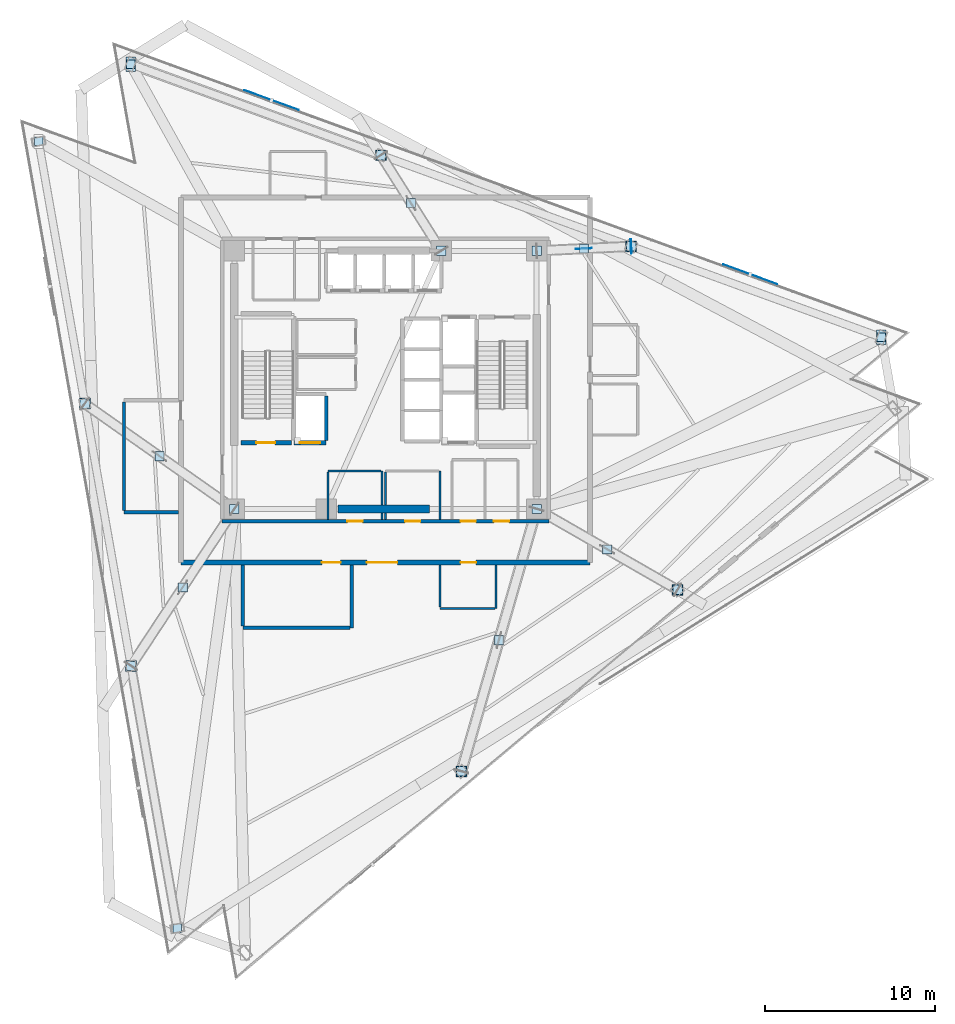
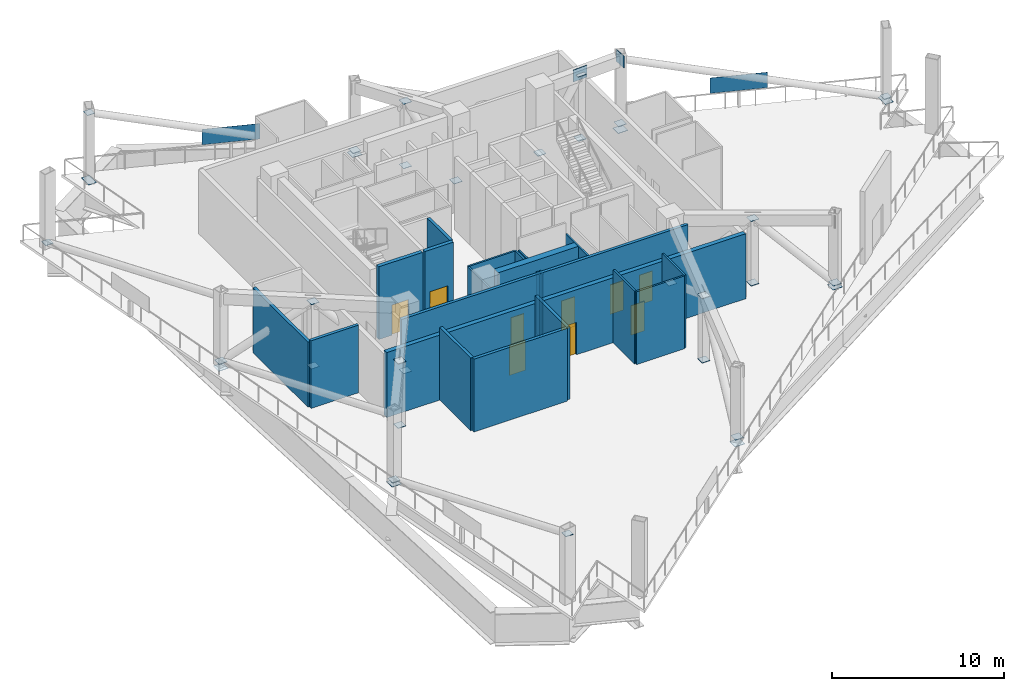
# One storey, part 6 of 15: 38 plates, 21 walls, 9 doors, 9 openings.
"""IFC4 building model written with IfcOpenShell, lengths in metres."""

from ifc_helpers import new_model, si_unit, direction, frame, frame_2d, origin, origin_2d, place, context, subcontext, project, spatial, rectangle, extrude, material, layer, layer_set, type_object, element, fill, save


model = new_model("IFC4")

# Units and contexts
model_context = context("Model", 3, precision=1e-05, world=origin(), true_north=direction((0.0, 1.0)))
body_context = subcontext(model_context, "Body", "Model", "MODEL_VIEW")
ifc_project = project(units=[si_unit("LENGTHUNIT", "METRE"), si_unit("AREAUNIT", "SQUARE_METRE"), si_unit("VOLUMEUNIT", "CUBIC_METRE"), si_unit("PLANEANGLEUNIT", "RADIAN"), si_unit("MASSUNIT", "GRAM", prefix="KILO")], contexts=[model_context])

# Site, building, storey
site_placement = place(None, origin())
site = spatial("IfcSite", under=ifc_project, at=site_placement, CompositionType="ELEMENT")
building_placement = place(site_placement, origin())
building = spatial("IfcBuilding", under=site, at=building_placement, Name="Tharavind Bronze Gate", CompositionType="ELEMENT")
storey_placement = place(building_placement, frame((0.0, 0.0, 165.14990234375)))
storey = spatial("IfcBuildingStorey", under=building, at=storey_placement, Name="L42", CompositionType="ELEMENT", Elevation=165.14990234375)

# Plates
ifc_material_1 = material(Name="Perforated Bronze Alloy", Category="bronze")
ifc_layer_1 = layer(ifc_material_1, 0.011962890625)
ifc_layer_set_1 = layer_set([ifc_layer_1], Name="Perforated Bronze Alloy")
plate_type_1 = type_object("IfcPlateType", Name="BRONZE PERFORATED SOLAR SCREEN", PredefinedType="USERDEFINED", material=ifc_layer_set_1)
for number, where, z_axis, x_axis, name in (
    (1, (21.47607421875, 6.21923828125, 1.10009765625), (0.0, 0.0, 1.0), (-0.939692023847, 0.342021783398, 0.0), "L42 wind floor acoustic bronze baffle 3.1"),
    (2, (-6.707275390625, 16.477294921875, 1.10009765625), (0.0, 0.0, 1.0), (-0.939692023847, 0.342021783398, 0.0), "L42 wind floor acoustic bronze baffle 3.2"),
):
    element("IfcPlate", number, at=place(storey_placement, frame(where, z_axis=z_axis, x_axis=x_axis)), inside=storey, type_object=plate_type_1, Name=name, ObjectType="SCREEN", PredefinedType="USERDEFINED", context=body_context, shape_type="SweptSolid", body=[
        extrude(rectangle(XDim=3.39990234375, YDim=0.011962890625, at=origin_2d()), origin(), (0.0, 0.0, 1.0), 1.10009765625),
    ])
ifc_material_2 = material(Name="Steel S460", Category="steel")
ifc_layer_2 = layer(ifc_material_2, 0.02490234375)
ifc_layer_set_2 = layer_set([ifc_layer_2], Name="Steel S460")
plate_type_2 = type_object("IfcPlateType", Name="STEEL END CAP SHEET 25", PredefinedType="SHEET", material=ifc_layer_set_2)
for number, where, z_axis, x_axis, name in (
    (3, (-17.709716796875, -1.3994140625, -0.207275390625), (0.0, 0.0, 1.0), (1.0, 0.0, 0.0), "Steel end cap plate CAP-COLB-L42-S1C2"),
    (4, (-14.98681640625, -16.841796875, -0.012451171875), (0.0, 0.0, 1.0), (1.0, 0.0, 0.0), "Steel end cap plate CAP-COLB-L42-S1C3"),
    (5, (4.46337890625, -23.05078125, -0.207275390625), (0.0, 0.0, 1.0), (1.0, 0.0, 0.0), "Steel end cap plate CAP-COLB-L42-S2C2"),
    (6, (17.198486328125, -12.36474609375, -0.012451171875), (0.0, 0.0, 1.0), (1.0, 0.0, 0.0), "Steel end cap plate CAP-COLB-L42-S2C3"),
):
    element("IfcPlate", number, at=place(storey_placement, frame(where, z_axis=z_axis, x_axis=x_axis)), inside=storey, type_object=plate_type_2, Name=name, PredefinedType="SHEET", context=body_context, shape_type="SweptSolid", body=[
        extrude(rectangle(XDim=0.64501953125, YDim=0.64501953125, at=origin_2d()), origin(), (0.0, 0.0, 1.0), 0.02490234375),
    ])
plate_1_placement = place(storey_placement, frame((29.1962890625, 2.5048828125, -0.012451171875), z_axis=(0.0, 0.0, 1.0), x_axis=(1.0, 0.0, 0.0)))
element("IfcPlate", 7, at=plate_1_placement, inside=storey, type_object=plate_type_2, Name="Steel end cap plate CAP-COLB-L42-S3C1", PredefinedType="SHEET", context=body_context, shape_type="SweptSolid", body=[
    extrude(rectangle(XDim=0.544921875, YDim=0.844970703125, at=origin_2d()), origin(), (0.0, 0.0, 1.0), 0.02490234375),
])
for number, where, z_axis, x_axis, name in (
    (8, (14.461181640625, 7.867919921875, -0.207275390625), (0.0, 0.0, 1.0), (1.0, 0.0, 0.0), "Steel end cap plate CAP-COLB-L42-S3C2"),
    (9, (-0.27392578125, 13.231201171875, -0.012451171875), (0.0, 0.0, 1.0), (1.0, 0.0, 0.0), "Steel end cap plate CAP-COLB-L42-S3C3"),
):
    element("IfcPlate", number, at=place(storey_placement, frame(where, z_axis=z_axis, x_axis=x_axis)), inside=storey, type_object=plate_type_2, Name=name, PredefinedType="SHEET", context=body_context, shape_type="SweptSolid", body=[
        extrude(rectangle(XDim=0.64501953125, YDim=0.64501953125, at=origin_2d()), origin(), (0.0, 0.0, 1.0), 0.02490234375),
    ])
plate_2_placement = place(storey_placement, frame((-15.0087890625, 18.59423828125, -0.012451171875), z_axis=(0.0, 0.0, 1.0), x_axis=(1.0, 0.0, 0.0)))
element("IfcPlate", 10, at=plate_2_placement, inside=storey, type_object=plate_type_2, Name="Steel end cap plate CAP-COLB-L42-S3C4", PredefinedType="SHEET", context=body_context, shape_type="SweptSolid", body=[
    extrude(rectangle(XDim=0.544921875, YDim=0.844970703125, at=origin_2d()), origin(), (0.0, 0.0, 1.0), 0.02490234375),
])
for number, where, z_axis, x_axis, name in (
    (11, (-8.89990234375, -7.60009765625, 0.237548828125), (0.0, 0.0, 1.0), (1.0, 0.0, 0.0), "Steel end cap plate CAP-L42-OBR1-1A"),
    (12, (-17.709716796875, -1.3994140625, 0.237548828125), (0.0, 0.0, 1.0), (1.0, 0.0, 0.0), "Steel end cap plate CAP-L42-OBR1-2B"),
    (13, (-14.98681640625, -16.841796875, 0.237548828125), (0.0, 0.0, 1.0), (1.0, 0.0, 0.0), "Steel end cap plate CAP-L42-OBR2-2B"),
    (14, (8.89990234375, -7.60009765625, 0.237548828125), (0.0, 0.0, 1.0), (1.0, 0.0, 0.0), "Steel end cap plate CAP-L42-OBR3-1A"),
    (15, (4.46337890625, -23.05078125, 0.237548828125), (0.0, 0.0, 1.0), (1.0, 0.0, 0.0), "Steel end cap plate CAP-L42-OBR3-2B"),
    (16, (17.198486328125, -12.36474609375, 0.237548828125), (0.0, 0.0, 1.0), (1.0, 0.0, 0.0), "Steel end cap plate CAP-L42-OBR4-2B"),
):
    element("IfcPlate", number, at=place(storey_placement, frame(where, z_axis=z_axis, x_axis=x_axis)), inside=storey, type_object=plate_type_2, Name=name, PredefinedType="SHEET", context=body_context, shape_type="SweptSolid", body=[
        extrude(rectangle(XDim=0.552978515625, YDim=0.552978515625, at=origin_2d()), origin(), (0.0, 0.0, 1.0), 0.02490234375),
    ])
plate_3_placement = place(storey_placement, frame((14.461181640625, 7.867919921875, 4.3974609375), z_axis=(0.0, 0.0, 1.0), x_axis=(0.998841677738, 0.048117593598, 0.0)))
element("IfcPlate", 17, at=plate_3_placement, inside=storey, type_object=plate_type_2, Name="Steel end cap plate CAP-L42-OCH5B", PredefinedType="SHEET", context=body_context, shape_type="SweptSolid", body=[
    extrude(rectangle(XDim=0.0400390625, YDim=0.844970703125, at=origin_2d()), origin(), (0.0, 0.0, 1.0), 0.844970703125),
])
for number, where, z_axis, x_axis, name in (
    (18, (8.89990234375, 7.60009765625, 0.237548828125), (0.0, 0.0, 1.0), (1.0, 0.0, 0.0), "Steel end cap plate CAP-L42-OBR5-1A"),
    (19, (14.461181640625, 7.867919921875, 0.237548828125), (0.0, 0.0, 1.0), (1.0, 0.0, 0.0), "Steel end cap plate CAP-L42-OBR5-2B"),
    (20, (3.280029296875, 7.60009765625, 0.237548828125), (0.0, 0.0, 1.0), (1.0, 0.0, 0.0), "Steel end cap plate CAP-L42-OBR6-1A"),
    (21, (-0.27392578125, 13.231201171875, 0.237548828125), (0.0, 0.0, 1.0), (1.0, 0.0, 0.0), "Steel end cap plate CAP-L42-OBR6-2B"),
):
    element("IfcPlate", number, at=place(storey_placement, frame(where, z_axis=z_axis, x_axis=x_axis)), inside=storey, type_object=plate_type_2, Name=name, PredefinedType="SHEET", context=body_context, shape_type="SweptSolid", body=[
        extrude(rectangle(XDim=0.552978515625, YDim=0.552978515625, at=origin_2d()), origin(), (0.0, 0.0, 1.0), 0.02490234375),
    ])
ifc_material_3 = material(Name="Steel S355", Category="steel")
ifc_layer_3 = layer(ifc_material_3, 0.02490234375)
ifc_layer_set_3 = layer_set([ifc_layer_3], Name="Steel S355")
plate_type_3 = type_object("IfcPlateType", Name="STEEL END CAP SHEET S355 25", PredefinedType="SHEET", material=ifc_layer_set_3)
for number, where, z_axis, x_axis, name in (
    (22, (-13.304931640625, -4.49951171875, 0.237548828125), (0.0, 0.0, 1.0), (1.0, 0.0, 0.0), "Steel end cap plate CAP-L42-OST1A"),
    (23, (-13.304931640625, -4.49951171875, 4.8076171875), (0.0, 0.0, 1.0), (1.0, 0.0, 0.0), "Steel end cap plate CAP-L42-OST1B"),
    (24, (-11.943359375, -12.220703125, 0.237548828125), (0.0, 0.0, 1.0), (1.0, 0.0, 0.0), "Steel end cap plate CAP-L42-OST2A"),
    (25, (-11.943359375, -12.220703125, 4.8076171875), (0.0, 0.0, 1.0), (1.0, 0.0, 0.0), "Steel end cap plate CAP-L42-OST2B"),
    (26, (6.681640625, -15.325439453125, 0.237548828125), (0.0, 0.0, 1.0), (1.0, 0.0, 0.0), "Steel end cap plate CAP-L42-OST3A"),
    (27, (6.681640625, -15.325439453125, 4.8076171875), (0.0, 0.0, 1.0), (1.0, 0.0, 0.0), "Steel end cap plate CAP-L42-OST3B"),
    (28, (13.04931640625, -9.982421875, 0.237548828125), (0.0, 0.0, 1.0), (1.0, 0.0, 0.0), "Steel end cap plate CAP-L42-OST4A"),
    (29, (13.04931640625, -9.982421875, 4.8076171875), (0.0, 0.0, 1.0), (1.0, 0.0, 0.0), "Steel end cap plate CAP-L42-OST4B"),
    (30, (11.6806640625, 7.73388671875, 0.237548828125), (0.0, 0.0, 1.0), (1.0, 0.0, 0.0), "Steel end cap plate CAP-L42-OST5A"),
    (31, (11.6806640625, 7.73388671875, 4.8076171875), (0.0, 0.0, 1.0), (1.0, 0.0, 0.0), "Steel end cap plate CAP-L42-OST5B"),
    (32, (1.5029296875, 10.41552734375, 0.237548828125), (0.0, 0.0, 1.0), (1.0, 0.0, 0.0), "Steel end cap plate CAP-L42-OST6A"),
    (33, (1.5029296875, 10.41552734375, 4.8076171875), (0.0, 0.0, 1.0), (1.0, 0.0, 0.0), "Steel end cap plate CAP-L42-OST6B"),
):
    element("IfcPlate", number, at=place(storey_placement, frame(where, z_axis=z_axis, x_axis=x_axis)), inside=storey, type_object=plate_type_3, Name=name, PredefinedType="SHEET", context=body_context, shape_type="SweptSolid", body=[
        extrude(rectangle(XDim=0.544921875, YDim=0.544921875, at=origin_2d()), origin(), (0.0, 0.0, 1.0), 0.02490234375),
    ])
for number, where, z_axis, x_axis, name in (
    (34, (-20.4326171875, 14.043212890625, 0.237548828125), (0.0, 0.0, 1.0), (1.0, 0.0, 0.0), "Steel end cap plate CAP-L42-BLT1-1A"),
    (35, (-12.263916015625, -32.2841796875, 4.8076171875), (0.0, 0.0, 1.0), (1.0, 0.0, 0.0), "Steel end cap plate CAP-L42-BLT1-3B"),
    (36, (29.1962890625, 2.5048828125, 0.237548828125), (0.0, 0.0, 1.0), (1.0, 0.0, 0.0), "Steel end cap plate CAP-L42-BLT3-1A"),
    (37, (-15.0087890625, 18.59423828125, 4.8076171875), (0.0, 0.0, 1.0), (1.0, 0.0, 0.0), "Steel end cap plate CAP-L42-BLT3-3B"),
):
    element("IfcPlate", number, at=place(storey_placement, frame(where, z_axis=z_axis, x_axis=x_axis)), inside=storey, type_object=plate_type_3, Name=name, PredefinedType="SHEET", context=body_context, shape_type="SweptSolid", body=[
        extrude(rectangle(XDim=0.501953125, YDim=0.501953125, at=origin_2d()), origin(), (0.0, 0.0, 1.0), 0.02490234375),
    ])
ifc_layer_4 = layer(ifc_material_2, 0.028076171875)
ifc_layer_set_4 = layer_set([ifc_layer_4], Name="Steel S460")
plate_type_4 = type_object("IfcPlateType", Name="STEEL NODE GUSSET PLATE 28", PredefinedType="USERDEFINED", material=ifc_layer_set_4)
plate_4_placement = place(storey_placement, frame((11.6806640625, 7.73388671875, 4.39501953125), z_axis=(0.0, 0.0, 1.0), x_axis=(0.998841677738, 0.048117593598, 0.0)))
element("IfcPlate", 38, at=plate_4_placement, inside=storey, type_object=plate_type_4, Name="Node N2 outrigger truss gusset plate 5", ObjectType="GUSSET PLATE", PredefinedType="USERDEFINED", context=body_context, shape_type="SweptSolid", body=[
    extrude(rectangle(XDim=0.949951171875, YDim=0.028076171875, at=origin_2d()), origin(), (0.0, 0.0, 1.0), 0.85009765625),
])

# Wall, openings, doors
ifc_material_4 = material(Name="Concrete C40/50", Category="concrete")
ifc_layer_5 = layer(ifc_material_4, 0.300048828125)
ifc_layer_set_5 = layer_set([ifc_layer_5], Name="Concrete C40/50")
wall_type_1 = type_object("IfcWallType", Name="EXTERIOR SPANDREL WALL 300", PredefinedType="STANDARD", material=ifc_layer_set_5)
wall_1_placement = place(storey_placement, frame((-12.050048828125, -10.75, 0.0), z_axis=(0.0, 0.0, 1.0), x_axis=(1.0, 0.0, 0.0)))
wall_1 = element("IfcWall", 39, at=wall_1_placement, inside=storey, type_object=wall_type_1, Name="L42 open wind floor core enclosure wall 1", PredefinedType="STANDARD", context=body_context, shape_type="SweptSolid", body=[
    extrude(rectangle(XDim=24.10009765625, YDim=0.300048828125, at=frame_2d((12.050048828125, 0.0))), origin(), (0.0, 0.0, 1.0), 4.614990234375),
])
opening_1_placement = place(wall_1_placement, frame((10.949951171875, 0.0, 0.0)))
opening_1 = element("IfcOpeningElement", 40, at=opening_1_placement, cuts=wall_1, Name="Opening ED03", PredefinedType="OPENING", context=body_context, shape_type="SweptSolid", body=[
    extrude(rectangle(XDim=1.800048828125, YDim=2.300048828125, at=frame_2d((0.89990234375, 1.14990234375))), frame((0.0, 0.15990234375, 0.0), z_axis=(0.0, -1.0, 0.0), x_axis=(1.0, 0.0, 0.0)), (0.0, 0.0, 1.0), 0.320048828125),
])
opening_2_placement = place(wall_1_placement, frame((8.300048828125, 0.0, 0.0)))
opening_2 = element("IfcOpeningElement", 41, at=opening_2_placement, cuts=wall_1, Name="Opening ID01", PredefinedType="OPENING", context=body_context, shape_type="SweptSolid", body=[
    extrude(rectangle(XDim=1.10009765625, YDim=2.14990234375, at=frame_2d((0.550048828125, 1.074951171875))), frame((0.0, 0.15990234375, 0.0), z_axis=(0.0, -1.0, 0.0), x_axis=(1.0, 0.0, 0.0)), (0.0, 0.0, 1.0), 0.320048828125),
])
opening_3_placement = place(wall_1_placement, frame((16.47705078125, 0.0, 0.0)))
opening_3 = element("IfcOpeningElement", 42, at=opening_3_placement, cuts=wall_1, Name="Opening ID07", PredefinedType="OPENING", context=body_context, shape_type="SweptSolid", body=[
    extrude(rectangle(XDim=0.89990234375, YDim=2.10009765625, at=frame_2d((0.449951171875, 1.050048828125))), frame((0.0, 0.15990234375, 0.0), z_axis=(0.0, -1.0, 0.0), x_axis=(1.0, 0.0, 0.0)), (0.0, 0.0, 1.0), 0.320048828125),
])
ifc_material_5 = material(Name="Bronze Aluminium & Toughened Glass", Category="aluminium")
door_type_1 = type_object("IfcDoorType", Name="GLAZED TERRACE ACCESS DOOR 1800X2300", OperationType="DOUBLE_DOOR_SINGLE_SWING", PredefinedType="DOOR", material=ifc_material_5)
door_1_placement = place(opening_1_placement, frame((1.800048828125, 0.0, 0.0), z_axis=(0.0, 0.0, 1.0), x_axis=(-1.0, 0.0, 0.0)))
door_1 = element("IfcDoor", 43, at=door_1_placement, inside=storey, type_object=door_type_1, Name="L42 open wind terrace access door", OperationType="DOUBLE_DOOR_SINGLE_SWING", OverallHeight=2.300048828125, OverallWidth=1.800048828125, PredefinedType="DOOR", context=body_context, shape_type="SweptSolid", body=[
    extrude(rectangle(XDim=1.800048828125, YDim=2.300048828125, at=frame_2d((0.89990234375, 1.14990234375))), frame((0.0, 0.02490234375, 0.0), z_axis=(0.0, -1.0, 0.0), x_axis=(1.0, 0.0, 0.0)), (0.0, 0.0, 1.0), 0.050048828125),
])
fill(opening_1, door_1)
ifc_material_6 = material(Name="Galvanised Fire Steel", Category="steel")
door_type_2 = type_object("IfcDoorType", Name="PLANT AND RISER FIRE DOOR 900X2100", OperationType="SINGLE_SWING_LEFT", PredefinedType="DOOR", material=ifc_material_6)
door_2_placement = place(opening_3_placement, origin())
door_2 = element("IfcDoor", 44, at=door_2_placement, inside=storey, type_object=door_type_2, Name="L42 Sprinkler Water Tank Room door", OperationType="SINGLE_SWING_LEFT", OverallHeight=2.10009765625, OverallWidth=0.89990234375, PredefinedType="DOOR", context=body_context, shape_type="SweptSolid", body=[
    extrude(rectangle(XDim=0.89990234375, YDim=2.10009765625, at=frame_2d((0.449951171875, 1.050048828125))), frame((0.0, 0.02490234375, 0.0), z_axis=(0.0, -1.0, 0.0), x_axis=(1.0, 0.0, 0.0)), (0.0, 0.0, 1.0), 0.050048828125),
])
fill(opening_3, door_2)
ifc_material_7 = material(Name="Fire-Rated Steel", Category="steel")
door_type_3 = type_object("IfcDoorType", Name="STAIR CORE FIRE DOOR 1100X2150", OperationType="SINGLE_SWING_LEFT", PredefinedType="DOOR", material=ifc_material_7)
door_3_placement = place(opening_2_placement, origin())
door_3 = element("IfcDoor", 45, at=door_3_placement, inside=storey, type_object=door_type_3, Name="L42 South Designated Area of Refuge door", OperationType="SINGLE_SWING_LEFT", OverallHeight=2.14990234375, OverallWidth=1.10009765625, PredefinedType="DOOR", context=body_context, shape_type="SweptSolid", body=[
    extrude(rectangle(XDim=1.10009765625, YDim=2.14990234375, at=frame_2d((0.550048828125, 1.074951171875))), frame((0.0, 0.02490234375, 0.0), z_axis=(0.0, -1.0, 0.0), x_axis=(1.0, 0.0, 0.0)), (0.0, 0.0, 1.0), 0.050048828125),
])
fill(opening_2, door_3)

ifc_material_8 = material(Name="Aerated Concrete Block", Category="concrete")
ifc_layer_6 = layer(ifc_material_8, 0.199951171875)
ifc_layer_set_6 = layer_set([ifc_layer_6], Name="Aerated Concrete Block")
wall_type_2 = type_object("IfcWallType", Name="FIRE RATED PARTITION 200", PredefinedType="PARTITIONING", material=ifc_layer_set_6)
wall_2_placement = place(storey_placement, frame((-9.6201171875, -8.320068359375, 0.0), z_axis=(0.0, 0.0, 1.0), x_axis=(1.0, 0.0, 0.0)))
wall_2 = element("IfcWall", 46, at=wall_2_placement, inside=storey, type_object=wall_type_2, Name="L42 south core corridor wall", PredefinedType="PARTITIONING", context=body_context, shape_type="SweptSolid", body=[
    extrude(rectangle(XDim=19.240234375, YDim=0.199951171875, at=frame_2d((9.6201171875, 0.0))), origin(), (0.0, 0.0, 1.0), 4.614990234375),
])
opening_4_placement = place(wall_2_placement, frame((7.3701171875, 0.0, 0.0)))
opening_4 = element("IfcOpeningElement", 47, at=opening_4_placement, cuts=wall_2, Name="Opening ID07", PredefinedType="OPENING", context=body_context, shape_type="SweptSolid", body=[
    extrude(rectangle(XDim=0.89990234375, YDim=2.10009765625, at=frame_2d((0.449951171875, 1.050048828125))), frame((0.0, 0.11009765625, 0.0), z_axis=(0.0, -1.0, 0.0), x_axis=(1.0, 0.0, 0.0)), (0.0, 0.0, 1.0), 0.219951171875),
])
opening_5_placement = place(wall_2_placement, frame((10.77001953125, 0.0, 0.0)))
opening_5 = element("IfcOpeningElement", 48, at=opening_5_placement, cuts=wall_2, Name="Opening ID07", PredefinedType="OPENING", context=body_context, shape_type="SweptSolid", body=[
    extrude(rectangle(XDim=0.89990234375, YDim=2.10009765625, at=frame_2d((0.449951171875, 1.050048828125))), frame((0.0, 0.11009765625, 0.0), z_axis=(0.0, -1.0, 0.0), x_axis=(1.0, 0.0, 0.0)), (0.0, 0.0, 1.0), 0.219951171875),
])
opening_6_placement = place(wall_2_placement, frame((14.044921875, 0.0, 0.0)))
opening_6 = element("IfcOpeningElement", 49, at=opening_6_placement, cuts=wall_2, Name="Opening ID07", PredefinedType="OPENING", context=body_context, shape_type="SweptSolid", body=[
    extrude(rectangle(XDim=0.89990234375, YDim=2.10009765625, at=frame_2d((0.449951171875, 1.050048828125))), frame((0.0, 0.11009765625, 0.0), z_axis=(0.0, -1.0, 0.0), x_axis=(1.0, 0.0, 0.0)), (0.0, 0.0, 1.0), 0.219951171875),
])
opening_7_placement = place(wall_2_placement, frame((15.9951171875, 0.0, 0.0)))
opening_7 = element("IfcOpeningElement", 50, at=opening_7_placement, cuts=wall_2, Name="Opening ID07", PredefinedType="OPENING", context=body_context, shape_type="SweptSolid", body=[
    extrude(rectangle(XDim=0.89990234375, YDim=2.10009765625, at=frame_2d((0.449951171875, 1.050048828125))), frame((0.0, 0.11009765625, 0.0), z_axis=(0.0, -1.0, 0.0), x_axis=(1.0, 0.0, 0.0)), (0.0, 0.0, 1.0), 0.219951171875),
])
door_4_placement = place(opening_4_placement, frame((0.89990234375, 0.0, 0.0), z_axis=(0.0, 0.0, 1.0), x_axis=(-1.0, 0.0, 0.0)))
door_4 = element("IfcDoor", 51, at=door_4_placement, inside=storey, type_object=door_type_2, Name="L42 Core Chiller Valve Plant Room fire door", OperationType="SINGLE_SWING_LEFT", OverallHeight=2.10009765625, OverallWidth=0.89990234375, PredefinedType="DOOR", context=body_context, shape_type="SweptSolid", body=[
    extrude(rectangle(XDim=0.89990234375, YDim=2.10009765625, at=frame_2d((0.449951171875, 1.050048828125))), frame((0.0, 0.02490234375, 0.0), z_axis=(0.0, -1.0, 0.0), x_axis=(1.0, 0.0, 0.0)), (0.0, 0.0, 1.0), 0.050048828125),
])
fill(opening_4, door_4)
door_5_placement = place(opening_5_placement, frame((0.89990234375, 0.0, 0.0), z_axis=(0.0, 0.0, 1.0), x_axis=(-1.0, 0.0, 0.0)))
door_5 = element("IfcDoor", 52, at=door_5_placement, inside=storey, type_object=door_type_2, Name="L42 Core AHU Controls Plant Room fire door", OperationType="SINGLE_SWING_LEFT", OverallHeight=2.10009765625, OverallWidth=0.89990234375, PredefinedType="DOOR", context=body_context, shape_type="SweptSolid", body=[
    extrude(rectangle(XDim=0.89990234375, YDim=2.10009765625, at=frame_2d((0.449951171875, 1.050048828125))), frame((0.0, 0.02490234375, 0.0), z_axis=(0.0, -1.0, 0.0), x_axis=(1.0, 0.0, 0.0)), (0.0, 0.0, 1.0), 0.050048828125),
])
fill(opening_5, door_5)
door_6_placement = place(opening_6_placement, frame((0.89990234375, 0.0, 0.0), z_axis=(0.0, 0.0, 1.0), x_axis=(-1.0, 0.0, 0.0)))
door_6 = element("IfcDoor", 53, at=door_6_placement, inside=storey, type_object=door_type_2, Name="L42 Fire Pump Switch Room fire door", OperationType="SINGLE_SWING_LEFT", OverallHeight=2.10009765625, OverallWidth=0.89990234375, PredefinedType="DOOR", context=body_context, shape_type="SweptSolid", body=[
    extrude(rectangle(XDim=0.89990234375, YDim=2.10009765625, at=frame_2d((0.449951171875, 1.050048828125))), frame((0.0, 0.02490234375, 0.0), z_axis=(0.0, -1.0, 0.0), x_axis=(1.0, 0.0, 0.0)), (0.0, 0.0, 1.0), 0.050048828125),
])
fill(opening_6, door_6)
door_7_placement = place(opening_7_placement, frame((0.89990234375, 0.0, 0.0), z_axis=(0.0, 0.0, 1.0), x_axis=(-1.0, 0.0, 0.0)))
door_7 = element("IfcDoor", 54, at=door_7_placement, inside=storey, type_object=door_type_2, Name="L42 Break Water Tank Room fire door", OperationType="SINGLE_SWING_LEFT", OverallHeight=2.10009765625, OverallWidth=0.89990234375, PredefinedType="DOOR", context=body_context, shape_type="SweptSolid", body=[
    extrude(rectangle(XDim=0.89990234375, YDim=2.10009765625, at=frame_2d((0.449951171875, 1.050048828125))), frame((0.0, 0.02490234375, 0.0), z_axis=(0.0, -1.0, 0.0), x_axis=(1.0, 0.0, 0.0)), (0.0, 0.0, 1.0), 0.050048828125),
])
fill(opening_7, door_7)

# Walls
wall_3_placement = place(storey_placement, frame((-12.205078125, -7.800048828125, 0.0), z_axis=(0.0, 0.0, 1.0), x_axis=(-1.0, 0.0, 0.0)))
element("IfcWall", 55, at=wall_3_placement, inside=storey, type_object=wall_type_2, Name="L42 West Designated Area of Refuge partition", PredefinedType="PARTITIONING", context=body_context, shape_type="SweptSolid", body=[
    extrude(rectangle(XDim=3.19482421875, YDim=0.199951171875, at=frame_2d((1.597412109375, 0.0))), origin(), (0.0, 0.0, 1.0), 4.80517578125),
])
wall_4_placement = place(storey_placement, frame((-15.39990234375, -7.695068359375, 0.0), z_axis=(0.0, 0.0, 1.0), x_axis=(0.0, 1.0, 0.0)))
element("IfcWall", 56, at=wall_4_placement, inside=storey, type_object=wall_type_2, Name="L42 West Designated Area of Refuge partition", PredefinedType="PARTITIONING", context=body_context, shape_type="SweptSolid", body=[
    extrude(rectangle(XDim=6.39013671875, YDim=0.199951171875, at=frame_2d((3.195068359375, 0.0))), origin(), (0.0, 0.0, 1.0), 4.614990234375),
])
wall_5_placement = place(storey_placement, frame((-2.0, -10.905029296875, 0.0), z_axis=(0.0, 0.0, 1.0), x_axis=(0.0, -1.0, 0.0)))
element("IfcWall", 57, at=wall_5_placement, inside=storey, type_object=wall_type_2, Name="L42 South Designated Area of Refuge partition", PredefinedType="PARTITIONING", context=body_context, shape_type="SweptSolid", body=[
    extrude(rectangle(XDim=3.695068359375, YDim=0.199951171875, at=frame_2d((1.84765625, 0.0))), origin(), (0.0, 0.0, 1.0), 5.170166015625),
])
wall_6_placement = place(storey_placement, frame((-2.10498046875, -14.60009765625, 0.0), z_axis=(0.0, 0.0, 1.0), x_axis=(-1.0, 0.0, 0.0)))
element("IfcWall", 58, at=wall_6_placement, inside=storey, type_object=wall_type_2, Name="L42 South Designated Area of Refuge partition", PredefinedType="PARTITIONING", context=body_context, shape_type="SweptSolid", body=[
    extrude(rectangle(XDim=6.294921875, YDim=0.199951171875, at=frame_2d((3.1474609375, 0.0))), origin(), (0.0, 0.0, 1.0), 5.170166015625),
])
wall_7_placement = place(storey_placement, frame((-8.39990234375, -14.4951171875, 0.0), z_axis=(0.0, 0.0, 1.0), x_axis=(0.0, 1.0, 0.0)))
element("IfcWall", 59, at=wall_7_placement, inside=storey, type_object=wall_type_2, Name="L42 South Designated Area of Refuge partition", PredefinedType="PARTITIONING", context=body_context, shape_type="SweptSolid", body=[
    extrude(rectangle(XDim=3.590087890625, YDim=0.199951171875, at=frame_2d((1.794921875, 0.0))), origin(), (0.0, 0.0, 1.0), 5.170166015625),
])
ifc_material_9 = material(Name="Metal Stud Gypsum Partition", Category="gypsum")
ifc_layer_7 = layer(ifc_material_9, 0.1201171875)
ifc_layer_set_7 = layer_set([ifc_layer_7], Name="Metal Stud Gypsum Partition")
wall_type_3 = type_object("IfcWallType", Name="INTERIOR PARTITION WALL 120", PredefinedType="PARTITIONING", material=ifc_layer_set_7)
wall_8_placement = place(storey_placement, frame((-0.199951171875, -8.215087890625, 0.0), z_axis=(0.0, 0.0, 1.0), x_axis=(0.0, 1.0, 0.0)))
element("IfcWall", 60, at=wall_8_placement, inside=storey, type_object=wall_type_3, Name="L42 Core Chiller Valve Plant Room partition 2", PredefinedType="PARTITIONING", context=body_context, shape_type="SweptSolid", body=[
    extrude(rectangle(XDim=0.385009765625, YDim=0.1201171875, at=frame_2d((0.1923828125, 0.0))), origin(), (0.0, 0.0, 1.0), 4.364990234375),
])
wall_9_placement = place(storey_placement, frame((-0.199951171875, -7.3701171875, 0.0), z_axis=(0.0, 0.0, 1.0), x_axis=(0.0, 1.0, 0.0)))
element("IfcWall", 61, at=wall_9_placement, inside=storey, type_object=wall_type_3, Name="L42 Core Chiller Valve Plant Room partition 2", PredefinedType="PARTITIONING", context=body_context, shape_type="SweptSolid", body=[
    extrude(rectangle(XDim=2.02001953125, YDim=0.1201171875, at=frame_2d((1.010009765625, 0.0))), origin(), (0.0, 0.0, 1.0), 4.364990234375),
])
wall_10_placement = place(storey_placement, frame((-0.264892578125, -5.35009765625, 0.0), z_axis=(0.0, 0.0, 1.0), x_axis=(-1.0, 0.0, 0.0)))
element("IfcWall", 62, at=wall_10_placement, inside=storey, type_object=wall_type_3, Name="L42 Core Chiller Valve Plant Room partition 3", PredefinedType="PARTITIONING", context=body_context, shape_type="SweptSolid", body=[
    extrude(rectangle(XDim=3.135009765625, YDim=0.1201171875, at=frame_2d((1.5673828125, 0.0))), origin(), (0.0, 0.0, 1.0), 4.364990234375),
])
wall_11_placement = place(storey_placement, frame((-3.39990234375, -5.4150390625, 0.0), z_axis=(0.0, 0.0, 1.0), x_axis=(0.0, -1.0, 0.0)))
element("IfcWall", 63, at=wall_11_placement, inside=storey, type_object=wall_type_3, Name="L42 Core Chiller Valve Plant Room partition 4", PredefinedType="PARTITIONING", context=body_context, shape_type="SweptSolid", body=[
    extrude(rectangle(XDim=2.800048828125, YDim=0.1201171875, at=frame_2d((1.39990234375, 0.0))), origin(), (0.0, 0.0, 1.0), 4.364990234375),
])
wall_12_placement = place(storey_placement, frame((3.199951171875, -8.215087890625, 0.0), z_axis=(0.0, 0.0, 1.0), x_axis=(0.0, 1.0, 0.0)))
element("IfcWall", 64, at=wall_12_placement, inside=storey, type_object=wall_type_3, Name="L42 Core AHU Controls Plant Room partition 2", PredefinedType="PARTITIONING", context=body_context, shape_type="SweptSolid", body=[
    extrude(rectangle(XDim=2.864990234375, YDim=0.1201171875, at=frame_2d((1.4326171875, 0.0))), origin(), (0.0, 0.0, 1.0), 4.364990234375),
])
wall_13_placement = place(storey_placement, frame((0.0, -5.4150390625, 0.0), z_axis=(0.0, 0.0, 1.0), x_axis=(0.0, -1.0, 0.0)))
element("IfcWall", 65, at=wall_13_placement, inside=storey, type_object=wall_type_3, Name="L42 Core AHU Controls Plant Room partition 4", PredefinedType="PARTITIONING", context=body_context, shape_type="SweptSolid", body=[
    extrude(rectangle(XDim=1.955078125, YDim=0.1201171875, at=frame_2d((0.9775390625, 0.0))), origin(), (0.0, 0.0, 1.0), 4.364990234375),
])
wall_14_placement = place(storey_placement, frame((0.0, -7.830078125, 0.0), z_axis=(0.0, 0.0, 1.0), x_axis=(0.0, -1.0, 0.0)))
element("IfcWall", 66, at=wall_14_placement, inside=storey, type_object=wall_type_3, Name="L42 Core AHU Controls Plant Room partition 4", PredefinedType="PARTITIONING", context=body_context, shape_type="SweptSolid", body=[
    extrude(rectangle(XDim=0.385009765625, YDim=0.1201171875, at=frame_2d((0.1923828125, 0.0))), origin(), (0.0, 0.0, 1.0), 4.364990234375),
])
wall_15_placement = place(storey_placement, frame((6.5, -10.905029296875, 0.0), z_axis=(0.0, 0.0, 1.0), x_axis=(0.0, -1.0, 0.0)))
element("IfcWall", 67, at=wall_15_placement, inside=storey, type_object=wall_type_3, Name="L42 Sprinkler Water Tank Room partition", PredefinedType="PARTITIONING", context=body_context, shape_type="SweptSolid", body=[
    extrude(rectangle(XDim=2.544921875, YDim=0.1201171875, at=frame_2d((1.2724609375, 0.0))), origin(), (0.0, 0.0, 1.0), 5.170166015625),
])
wall_16_placement = place(storey_placement, frame((6.43505859375, -13.449951171875, 0.0), z_axis=(0.0, 0.0, 1.0), x_axis=(-1.0, 0.0, 0.0)))
element("IfcWall", 68, at=wall_16_placement, inside=storey, type_object=wall_type_3, Name="L42 Sprinkler Water Tank Room partition", PredefinedType="PARTITIONING", context=body_context, shape_type="SweptSolid", body=[
    extrude(rectangle(XDim=3.235107421875, YDim=0.1201171875, at=frame_2d((1.61767578125, 0.0))), origin(), (0.0, 0.0, 1.0), 5.170166015625),
])
wall_17_placement = place(storey_placement, frame((3.199951171875, -13.385009765625, 0.0), z_axis=(0.0, 0.0, 1.0), x_axis=(0.0, 1.0, 0.0)))
element("IfcWall", 69, at=wall_17_placement, inside=storey, type_object=wall_type_3, Name="L42 Sprinkler Water Tank Room partition", PredefinedType="PARTITIONING", context=body_context, shape_type="SweptSolid", body=[
    extrude(rectangle(XDim=2.47998046875, YDim=0.1201171875, at=frame_2d((1.239990234375, 0.0))), origin(), (0.0, 0.0, 1.0), 5.170166015625),
])

# Wall, opening, door
ifc_material_10 = material(Name="Concrete C50/60", Category="concrete")
ifc_layer_8 = layer(ifc_material_10, 0.25)
ifc_layer_set_8 = layer_set([ifc_layer_8], Name="Concrete C50/60")
wall_type_4 = type_object("IfcWallType", Name="RC CORE SHEAR WALL 250", PredefinedType="SHEAR", material=ifc_layer_set_8)
wall_18_placement = place(storey_placement, frame((-8.5, -3.699951171875, 0.0), z_axis=(0.0, 0.0, 1.0), x_axis=(1.0, 0.0, 0.0)))
wall_18 = element("IfcWall", 70, at=wall_18_placement, inside=storey, type_object=wall_type_4, Name="L42 ST1 shaft south wall", PredefinedType="SHEAR", context=body_context, shape_type="SweptSolid", body=[
    extrude(rectangle(XDim=2.949951171875, YDim=0.25, at=frame_2d((1.47509765625, 0.0))), origin(), (0.0, 0.0, 1.0), 5.170166015625),
])
opening_8_placement = place(wall_18_placement, frame((0.89990234375, 0.0, 0.0)))
opening_8 = element("IfcOpeningElement", 71, at=opening_8_placement, cuts=wall_18, Name="Opening ID01", PredefinedType="OPENING", context=body_context, shape_type="SweptSolid", body=[
    extrude(rectangle(XDim=1.10009765625, YDim=2.14990234375, at=frame_2d((0.550048828125, 1.074951171875))), frame((0.0, 0.135, 0.0), z_axis=(0.0, -1.0, 0.0), x_axis=(1.0, 0.0, 0.0)), (0.0, 0.0, 1.0), 0.27),
])
door_8_placement = place(opening_8_placement, origin())
door_8 = element("IfcDoor", 72, at=door_8_placement, inside=storey, type_object=door_type_3, Name="L42 exit stair ST1 fire door", OperationType="SINGLE_SWING_LEFT", OverallHeight=2.14990234375, OverallWidth=1.10009765625, PredefinedType="DOOR", context=body_context, shape_type="SweptSolid", body=[
    extrude(rectangle(XDim=1.10009765625, YDim=2.14990234375, at=frame_2d((0.550048828125, 1.074951171875))), frame((0.0, 0.02490234375, 0.0), z_axis=(0.0, -1.0, 0.0), x_axis=(1.0, 0.0, 0.0)), (0.0, 0.0, 1.0), 0.050048828125),
])
fill(opening_8, door_8)

wall_19_placement = place(storey_placement, frame((-5.39990234375, -3.699951171875, 0.0), z_axis=(0.0, 0.0, 1.0), x_axis=(1.0, 0.0, 0.0)))
wall_19 = element("IfcWall", 73, at=wall_19_placement, inside=storey, type_object=wall_type_4, Name="L42 lift FFL1 shaft front wall", PredefinedType="SHEAR", context=body_context, shape_type="SweptSolid", body=[
    extrude(rectangle(XDim=1.89990234375, YDim=0.25, at=frame_2d((0.949951171875, 0.0))), origin(), (0.0, 0.0, 1.0), 5.170166015625),
])
opening_9_placement = place(wall_19_placement, frame((0.35009765625, 0.0, 0.0)))
opening_9 = element("IfcOpeningElement", 74, at=opening_9_placement, cuts=wall_19, Name="Opening LD02", PredefinedType="OPENING", context=body_context, shape_type="SweptSolid", body=[
    extrude(rectangle(XDim=1.199951171875, YDim=2.199951171875, at=frame_2d((0.60009765625, 1.10009765625))), frame((0.0, 0.135, 0.0), z_axis=(0.0, -1.0, 0.0), x_axis=(1.0, 0.0, 0.0)), (0.0, 0.0, 1.0), 0.27),
])
ifc_material_11 = material(Name="Brushed Stainless Steel", Category="steel")
door_type_4 = type_object("IfcDoorType", Name="FIREFIGHTING LIFT LANDING DOOR 1200X2200", OperationType="SLIDING_TO_RIGHT", PredefinedType="DOOR", material=ifc_material_11)
door_9_placement = place(opening_9_placement, origin())
door_9 = element("IfcDoor", 75, at=door_9_placement, inside=storey, type_object=door_type_4, Name="L42 lift FFL1 sliding landing door", OperationType="SLIDING_TO_RIGHT", OverallHeight=2.199951171875, OverallWidth=1.199951171875, PredefinedType="DOOR", context=body_context, shape_type="SweptSolid", body=[
    extrude(rectangle(XDim=1.199951171875, YDim=2.199951171875, at=frame_2d((0.60009765625, 1.10009765625))), frame((0.0, 0.02490234375, 0.0), z_axis=(0.0, -1.0, 0.0), x_axis=(1.0, 0.0, 0.0)), (0.0, 0.0, 1.0), 0.050048828125),
])
fill(opening_9, door_9)

# Walls
ifc_material_12 = material(Name="Concrete C60/75", Category="concrete")
ifc_layer_9 = layer(ifc_material_12, 0.449951171875)
ifc_layer_set_9 = layer_set([ifc_layer_9], Name="Concrete C60/75")
wall_type_5 = type_object("IfcWallType", Name="RC CORE SHEAR WALL 450", PredefinedType="SHEAR", material=ifc_layer_set_9)
wall_20_placement = place(storey_placement, frame((-2.800048828125, -7.60009765625, 0.0), z_axis=(0.0, 0.0, 1.0), x_axis=(1.0, 0.0, 0.0)))
element("IfcWall", 76, at=wall_20_placement, inside=storey, type_object=wall_type_5, Name="L42 south core shear wall", PredefinedType="SHEAR", context=body_context, shape_type="SweptSolid", body=[
    extrude(rectangle(XDim=5.380126953125, YDim=0.449951171875, at=frame_2d((2.68994140625, 0.0))), origin(), (0.0, 0.0, 1.0), 5.170166015625),
])
ifc_layer_10 = layer(ifc_material_4, 0.199951171875)
ifc_layer_set_10 = layer_set([ifc_layer_10], Name="Concrete C40/50")
wall_type_6 = type_object("IfcWallType", Name="SHAFT ENCLOSURE WALL 200", PredefinedType="PARTITIONING", material=ifc_layer_set_10)
wall_21_placement = place(storey_placement, frame((-3.5, -3.570068359375, 0.0), z_axis=(0.0, 0.0, 1.0), x_axis=(0.0, 1.0, 0.0)))
element("IfcWall", 77, at=wall_21_placement, inside=storey, type_object=wall_type_6, Name="L42 lift FFL1 shaft E enclosure wall", PredefinedType="PARTITIONING", context=body_context, shape_type="SweptSolid", body=[
    extrude(rectangle(XDim=2.614990234375, YDim=0.199951171875, at=frame_2d((1.3076171875, 0.0))), origin(), (0.0, 0.0, 1.0), 5.170166015625),
])

save(model, "model.ifc")
